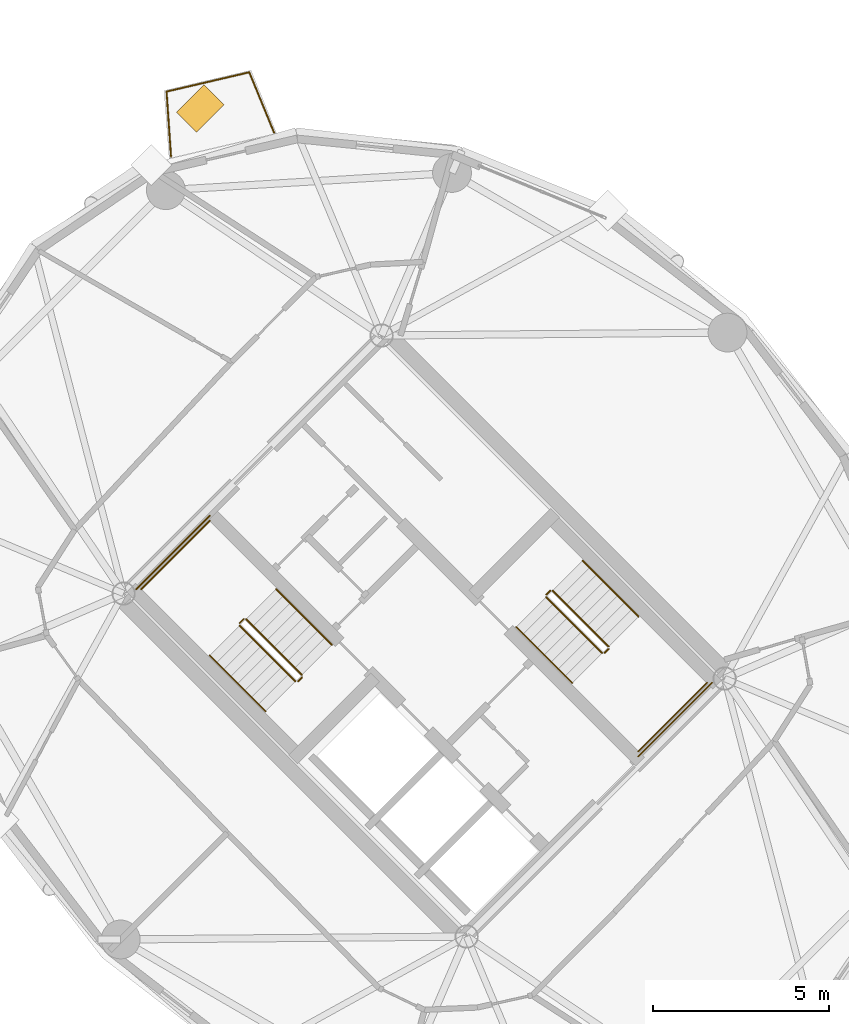
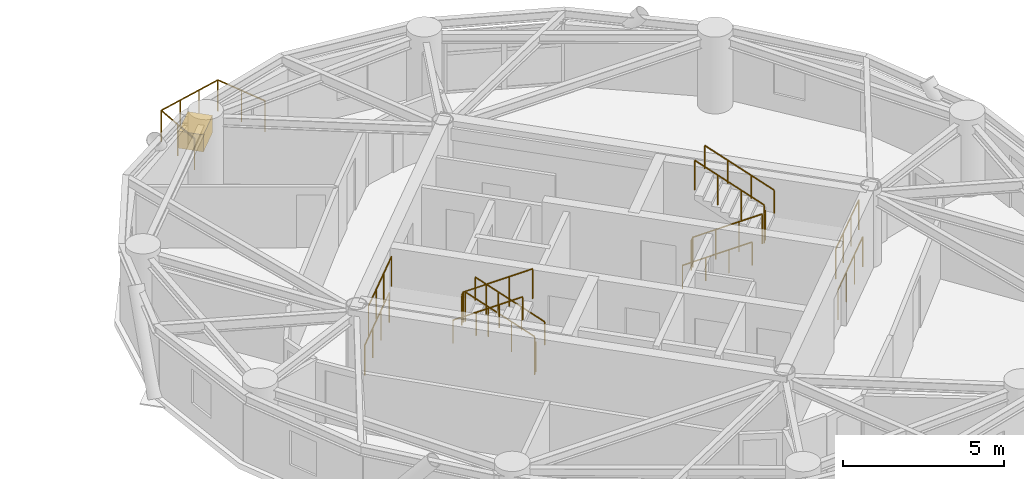
# One storey, part 15 of 16: 17 railings, 1 covering.
"""IFC4 building model written with IfcOpenShell, lengths in metres."""

from ifc_helpers import new_model, si_unit, direction, frame, origin, origin_2d, place, context, subcontext, project, spatial, rectangle, circle, extrude, source, transform, mapped, material, layer, layer_set, type_object, element, save


model = new_model("IFC4")

# Units and contexts
model_context = context("Model", 3, precision=1e-05, world=origin(), true_north=direction((0.0, 1.0)))
body_context = subcontext(model_context, "Body", "Model", "MODEL_VIEW")
ifc_project = project(units=[si_unit("LENGTHUNIT", "METRE"), si_unit("AREAUNIT", "SQUARE_METRE"), si_unit("VOLUMEUNIT", "CUBIC_METRE"), si_unit("PLANEANGLEUNIT", "RADIAN"), si_unit("MASSUNIT", "GRAM", prefix="KILO")], contexts=[model_context])

# Site, building, storey
site_placement = place(None, origin())
site = spatial("IfcSite", under=ifc_project, at=site_placement, CompositionType="ELEMENT")
building_placement = place(site_placement, origin())
building = spatial("IfcBuilding", under=site, at=building_placement, Name="Cununo Teusaquillo Station Towers", CompositionType="ELEMENT")
storey_placement = place(building_placement, frame((0.0, 0.0, 208.300048828125)))
storey = spatial("IfcBuildingStorey", under=building, at=storey_placement, Name="L66", CompositionType="ELEMENT", Elevation=208.300048828125)

# Railings
ifc_material_1 = material(Name="Anodised dark bronze aluminium EN AW-6063-T6", Category="aluminium")
railing_type_1 = type_object("IfcRailingType", Name="RL-EXT-BALUS", PredefinedType="BALUSTRADE", material=ifc_material_1)
railing_1_placement = place(storey_placement, frame((50.320556640625, 38.0986328125, 0.0)))
element("IfcRailing", 1, at=railing_1_placement, inside=storey, type_object=railing_type_1, Name="L66 Tower B Balcony Guardrail C03", PredefinedType="BALUSTRADE", context=body_context, shape_type="SweptSolid", body=[
    extrude(circle(Radius=0.02392578125, at=origin_2d()), frame((0.0, 0.0, 1.17578125), z_axis=(-0.068657089116, 0.997640318007, 0.0), x_axis=(-0.997640318007, -0.068657089116, 0.0)), (0.0, 0.0, 1.0), 1.84912109375),
    extrude(circle(Radius=0.02392578125, at=origin_2d()), frame((-0.126953125, 1.8447265625, 1.17578125), z_axis=(0.973841956979, 0.227226413139, 0.0), x_axis=(-0.227226413139, 0.973841956979, 0.0)), (0.0, 0.0, 1.0), 2.409912109375),
    extrude(circle(Radius=0.02392578125, at=origin_2d()), frame((2.219970703125, 2.392333984375, 1.17578125), z_axis=(0.379912800848, -0.925022304462, 0.0), x_axis=(0.925022304462, 0.379912800848, 0.0)), (0.0, 0.0, 1.0), 1.848876953125),
    extrude(circle(Radius=0.02099609375, at=origin_2d()), origin(), (0.0, 0.0, 1.0), 1.15185546875),
    extrude(circle(Radius=0.02099609375, at=origin_2d()), frame((-0.0634765625, 0.92236328125, 0.0)), (0.0, 0.0, 1.0), 1.15185546875),
    extrude(circle(Radius=0.02099609375, at=origin_2d()), frame((-0.126953125, 1.8447265625, 0.0)), (0.0, 0.0, 1.0), 1.15185546875),
    extrude(circle(Radius=0.02099609375, at=origin_2d()), frame((0.6552734375, 2.02734375, 0.0)), (0.0, 0.0, 1.0), 1.15185546875),
    extrude(circle(Radius=0.02099609375, at=origin_2d()), frame((1.437744140625, 2.209716796875, 0.0)), (0.0, 0.0, 1.0), 1.15185546875),
    extrude(circle(Radius=0.02099609375, at=origin_2d()), frame((2.219970703125, 2.392333984375, 0.0)), (0.0, 0.0, 1.0), 1.15185546875),
    extrude(circle(Radius=0.02099609375, at=origin_2d()), frame((2.5712890625, 1.537109375, 0.0)), (0.0, 0.0, 1.0), 1.15185546875),
    extrude(circle(Radius=0.02099609375, at=origin_2d()), frame((2.92236328125, 0.68212890625, 0.0)), (0.0, 0.0, 1.0), 1.15185546875),
])
ifc_material_2 = material(Name="Steel EN 10025-2 S355J2", Category="steel")
railing_type_2 = type_object("IfcRailingType", Name="RL-INT-GUARD", PredefinedType="GUARDRAIL", material=ifc_material_2)
railing_2_placement = place(storey_placement, frame((54.03515625, 23.39697265625, 0.16162109375)))
element("IfcRailing", 2, at=railing_2_placement, inside=storey, type_object=railing_type_2, Name="L66 ST-T2-1 stair guard 1", PredefinedType="GUARDRAIL", context=body_context, shape_type="SweptSolid", body=[
    extrude(circle(Radius=0.02392578125, at=origin_2d()), frame((0.0, 0.0, 1.1259765625), z_axis=(-0.612361259024, 0.612361259024, 0.500027376144), x_axis=(-0.707106781187, -0.707106781187, 0.0)), (0.0, 0.0, 1.0), 2.586181640625),
    extrude(circle(Radius=0.02099609375, at=origin_2d()), origin(), (0.0, 0.0, 1.0), 1.101806640625),
    extrude(circle(Radius=0.02099609375, at=origin_2d()), frame((-0.52783203125, 0.52783203125, 0.43115234375)), (0.0, 0.0, 1.0), 1.101806640625),
    extrude(circle(Radius=0.02099609375, at=origin_2d()), frame((-1.055908203125, 1.055908203125, 0.862060546875)), (0.0, 0.0, 1.0), 1.101806640625),
    extrude(circle(Radius=0.02099609375, at=origin_2d()), frame((-1.583740234375, 1.583740234375, 1.293212890625)), (0.0, 0.0, 1.0), 1.101806640625),
])
railing_3_placement = place(storey_placement, frame((52.380615234375, 24.980712890625, 1.454833984375)))
element("IfcRailing", 3, at=railing_3_placement, inside=storey, type_object=railing_type_2, Name="L66 ST-T2-1 stair guard 2", PredefinedType="GUARDRAIL", context=body_context, shape_type="SweptSolid", body=[
    extrude(circle(Radius=0.02392578125, at=origin_2d()), frame((0.0, 0.0, 1.1259765625), z_axis=(-0.7078691598, -0.706343579714, 0.0), x_axis=(0.706343579714, -0.7078691598, 0.0)), (0.0, 0.0, 1.0), 0.159912109375),
    extrude(circle(Radius=0.02099609375, at=origin_2d()), origin(), (0.0, 0.0, 1.0), 1.101806640625),
    extrude(circle(Radius=0.02099609375, at=origin_2d()), frame((-0.11328125, -0.113037109375, 0.0)), (0.0, 0.0, 1.0), 1.101806640625),
])
railing_4_placement = place(storey_placement, frame((51.426025390625, 27.77392578125, 1.454833984375)))
element("IfcRailing", 4, at=railing_4_placement, inside=storey, type_object=railing_type_2, Name="L66 ST-T2-1 stair guard 3", PredefinedType="GUARDRAIL", context=body_context, shape_type="SweptSolid", body=[
    extrude(circle(Radius=0.02392578125, at=origin_2d()), frame((0.0, 0.0, 1.1259765625), z_axis=(-0.707106781187, -0.707106781187, 0.0), x_axis=(0.707106781187, -0.707106781187, 0.0)), (0.0, 0.0, 1.0), 2.760009765625),
    extrude(circle(Radius=0.02099609375, at=origin_2d()), origin(), (0.0, 0.0, 1.0), 1.101806640625),
    extrude(circle(Radius=0.02099609375, at=origin_2d()), frame((-0.650634765625, -0.650634765625, 0.0)), (0.0, 0.0, 1.0), 1.101806640625),
    extrude(circle(Radius=0.02099609375, at=origin_2d()), frame((-1.301025390625, -1.301025390625, 0.0)), (0.0, 0.0, 1.0), 1.101806640625),
    extrude(circle(Radius=0.02099609375, at=origin_2d()), frame((-1.95166015625, -1.95166015625, 0.0)), (0.0, 0.0, 1.0), 1.101806640625),
])
railing_5_placement = place(storey_placement, frame((52.267333984375, 24.796875, 1.61669921875)))
element("IfcRailing", 5, at=railing_5_placement, inside=storey, type_object=railing_type_2, Name="L66 ST-T2-1 stair guard 4", PredefinedType="GUARDRAIL", context=body_context, shape_type="SweptSolid", body=[
    extrude(circle(Radius=0.02392578125, at=origin_2d()), frame((0.0, 0.0, 1.1259765625), z_axis=(0.612420254088, -0.612325861324, 0.499998471934), x_axis=(0.707052281454, 0.707161276719, 0.0)), (0.0, 0.0, 1.0), 2.58642578125),
    extrude(circle(Radius=0.02099609375, at=origin_2d()), origin(), (0.0, 0.0, 1.0), 1.101806640625),
    extrude(circle(Radius=0.02099609375, at=origin_2d()), frame((0.528076171875, -0.52783203125, 0.43115234375)), (0.0, 0.0, 1.0), 1.101806640625),
    extrude(circle(Radius=0.02099609375, at=origin_2d()), frame((1.055908203125, -1.055908203125, 0.862060546875)), (0.0, 0.0, 1.0), 1.101806640625),
    extrude(circle(Radius=0.02099609375, at=origin_2d()), frame((1.583984375, -1.583740234375, 1.293212890625)), (0.0, 0.0, 1.0), 1.101806640625),
])
railing_6_placement = place(storey_placement, frame((54.03515625, 23.326171875, 0.0)))
element("IfcRailing", 6, at=railing_6_placement, inside=storey, type_object=railing_type_2, Name="L66 ST-T2-1 stair guard 5", PredefinedType="GUARDRAIL", context=body_context, shape_type="SweptSolid", body=[
    extrude(circle(Radius=0.02392578125, at=origin_2d()), frame((0.0, 0.0, 1.1259765625), z_axis=(-0.707106781187, -0.707106781187, 0.0), x_axis=(0.707106781187, -0.707106781187, 0.0)), (0.0, 0.0, 1.0), 0.159912109375),
    extrude(circle(Radius=0.02099609375, at=origin_2d()), origin(), (0.0, 0.0, 1.0), 1.101806640625),
    extrude(circle(Radius=0.02099609375, at=origin_2d()), frame((-0.113037109375, -0.113037109375, 0.0)), (0.0, 0.0, 1.0), 1.101806640625),
])
railing_7_placement = place(storey_placement, frame((51.426025390625, 27.915283203125, 0.0)))
element("IfcRailing", 7, at=railing_7_placement, inside=storey, type_object=railing_type_2, Name="L66 ST-T2-1 stair guard 6", PredefinedType="GUARDRAIL", context=body_context, shape_type="SweptSolid", body=[
    extrude(circle(Radius=0.02392578125, at=origin_2d()), frame((0.0, 0.0, 1.1259765625), z_axis=(-0.707106781187, -0.707106781187, 0.0), x_axis=(0.707106781187, -0.707106781187, 0.0)), (0.0, 0.0, 1.0), 2.9599609375),
    extrude(circle(Radius=0.02099609375, at=origin_2d()), origin(), (0.0, 0.0, 1.0), 1.101806640625),
    extrude(circle(Radius=0.02099609375, at=origin_2d()), frame((-0.69775390625, -0.69775390625, 0.0)), (0.0, 0.0, 1.0), 1.101806640625),
    extrude(circle(Radius=0.02099609375, at=origin_2d()), frame((-1.395263671875, -1.395263671875, 0.0)), (0.0, 0.0, 1.0), 1.101806640625),
    extrude(circle(Radius=0.02099609375, at=origin_2d()), frame((-2.093017578125, -2.093017578125, 0.0)), (0.0, 0.0, 1.0), 1.101806640625),
])
railing_8_placement = place(storey_placement, frame((60.96484375, 25.60302734375, 0.16162109375)))
element("IfcRailing", 8, at=railing_8_placement, inside=storey, type_object=railing_type_2, Name="L66 ST-T2-2 stair guard 1", PredefinedType="GUARDRAIL", context=body_context, shape_type="SweptSolid", body=[
    extrude(circle(Radius=0.02392578125, at=origin_2d()), frame((0.0, 0.0, 1.1259765625), z_axis=(0.612361259024, -0.612361259024, 0.500027376144), x_axis=(0.707106781187, 0.707106781187, 0.0)), (0.0, 0.0, 1.0), 2.586181640625),
    extrude(circle(Radius=0.02099609375, at=origin_2d()), origin(), (0.0, 0.0, 1.0), 1.101806640625),
    extrude(circle(Radius=0.02099609375, at=origin_2d()), frame((0.52783203125, -0.52783203125, 0.43115234375)), (0.0, 0.0, 1.0), 1.101806640625),
    extrude(circle(Radius=0.02099609375, at=origin_2d()), frame((1.055908203125, -1.055908203125, 0.862060546875)), (0.0, 0.0, 1.0), 1.101806640625),
    extrude(circle(Radius=0.02099609375, at=origin_2d()), frame((1.583740234375, -1.583740234375, 1.293212890625)), (0.0, 0.0, 1.0), 1.101806640625),
])
railing_9_placement = place(storey_placement, frame((62.619384765625, 24.019287109375, 1.454833984375)))
element("IfcRailing", 9, at=railing_9_placement, inside=storey, type_object=railing_type_2, Name="L66 ST-T2-2 stair guard 2", PredefinedType="GUARDRAIL", context=body_context, shape_type="SweptSolid", body=[
    extrude(circle(Radius=0.02392578125, at=origin_2d()), frame((0.0, 0.0, 1.1259765625), z_axis=(0.7078691598, 0.706343579714, 0.0), x_axis=(-0.706343579714, 0.7078691598, 0.0)), (0.0, 0.0, 1.0), 0.159912109375),
    extrude(circle(Radius=0.02099609375, at=origin_2d()), origin(), (0.0, 0.0, 1.0), 1.101806640625),
    extrude(circle(Radius=0.02099609375, at=origin_2d()), frame((0.11328125, 0.113037109375, 0.0)), (0.0, 0.0, 1.0), 1.101806640625),
])
railing_10_placement = place(storey_placement, frame((63.573974609375, 21.22607421875, 1.454833984375)))
element("IfcRailing", 10, at=railing_10_placement, inside=storey, type_object=railing_type_2, Name="L66 ST-T2-2 stair guard 3", PredefinedType="GUARDRAIL", context=body_context, shape_type="SweptSolid", body=[
    extrude(circle(Radius=0.02392578125, at=origin_2d()), frame((0.0, 0.0, 1.1259765625), z_axis=(0.707106781187, 0.707106781187, 0.0), x_axis=(-0.707106781187, 0.707106781187, 0.0)), (0.0, 0.0, 1.0), 2.760009765625),
    extrude(circle(Radius=0.02099609375, at=origin_2d()), origin(), (0.0, 0.0, 1.0), 1.101806640625),
    extrude(circle(Radius=0.02099609375, at=origin_2d()), frame((0.650634765625, 0.650634765625, 0.0)), (0.0, 0.0, 1.0), 1.101806640625),
    extrude(circle(Radius=0.02099609375, at=origin_2d()), frame((1.301025390625, 1.301025390625, 0.0)), (0.0, 0.0, 1.0), 1.101806640625),
    extrude(circle(Radius=0.02099609375, at=origin_2d()), frame((1.95166015625, 1.95166015625, 0.0)), (0.0, 0.0, 1.0), 1.101806640625),
])
railing_11_placement = place(storey_placement, frame((62.732666015625, 24.203125, 1.61669921875)))
element("IfcRailing", 11, at=railing_11_placement, inside=storey, type_object=railing_type_2, Name="L66 ST-T2-2 stair guard 4", PredefinedType="GUARDRAIL", context=body_context, shape_type="SweptSolid", body=[
    extrude(circle(Radius=0.02392578125, at=origin_2d()), frame((0.0, 0.0, 1.1259765625), z_axis=(-0.612420254088, 0.612325861324, 0.499998471934), x_axis=(-0.707052281454, -0.707161276719, 0.0)), (0.0, 0.0, 1.0), 2.58642578125),
    extrude(circle(Radius=0.02099609375, at=origin_2d()), origin(), (0.0, 0.0, 1.0), 1.101806640625),
    extrude(circle(Radius=0.02099609375, at=origin_2d()), frame((-0.528076171875, 0.52783203125, 0.43115234375)), (0.0, 0.0, 1.0), 1.101806640625),
    extrude(circle(Radius=0.02099609375, at=origin_2d()), frame((-1.055908203125, 1.055908203125, 0.862060546875)), (0.0, 0.0, 1.0), 1.101806640625),
    extrude(circle(Radius=0.02099609375, at=origin_2d()), frame((-1.583984375, 1.583740234375, 1.293212890625)), (0.0, 0.0, 1.0), 1.101806640625),
])
railing_12_placement = place(storey_placement, frame((60.96484375, 25.673828125, 0.0)))
element("IfcRailing", 12, at=railing_12_placement, inside=storey, type_object=railing_type_2, Name="L66 ST-T2-2 stair guard 5", PredefinedType="GUARDRAIL", context=body_context, shape_type="SweptSolid", body=[
    extrude(circle(Radius=0.02392578125, at=origin_2d()), frame((0.0, 0.0, 1.1259765625), z_axis=(0.707106781187, 0.707106781187, 0.0), x_axis=(-0.707106781187, 0.707106781187, 0.0)), (0.0, 0.0, 1.0), 0.159912109375),
    extrude(circle(Radius=0.02099609375, at=origin_2d()), origin(), (0.0, 0.0, 1.0), 1.101806640625),
    extrude(circle(Radius=0.02099609375, at=origin_2d()), frame((0.113037109375, 0.113037109375, 0.0)), (0.0, 0.0, 1.0), 1.101806640625),
])
railing_13_placement = place(storey_placement, frame((63.573974609375, 21.084716796875, 0.0)))
element("IfcRailing", 13, at=railing_13_placement, inside=storey, type_object=railing_type_2, Name="L66 ST-T2-2 stair guard 6", PredefinedType="GUARDRAIL", context=body_context, shape_type="SweptSolid", body=[
    extrude(circle(Radius=0.02392578125, at=origin_2d()), frame((0.0, 0.0, 1.1259765625), z_axis=(0.707106781187, 0.707106781187, 0.0), x_axis=(-0.707106781187, 0.707106781187, 0.0)), (0.0, 0.0, 1.0), 2.9599609375),
    extrude(circle(Radius=0.02099609375, at=origin_2d()), origin(), (0.0, 0.0, 1.0), 1.101806640625),
    extrude(circle(Radius=0.02099609375, at=origin_2d()), frame((0.69775390625, 0.69775390625, 0.0)), (0.0, 0.0, 1.0), 1.101806640625),
    extrude(circle(Radius=0.02099609375, at=origin_2d()), frame((1.395263671875, 1.395263671875, 0.0)), (0.0, 0.0, 1.0), 1.101806640625),
    extrude(circle(Radius=0.02099609375, at=origin_2d()), frame((2.093017578125, 2.093017578125, 0.0)), (0.0, 0.0, 1.0), 1.101806640625),
])
ifc_material_3 = material(Name="Steel EN 10025-2 S355J2", Category="steel")
railing_type_3 = type_object("IfcRailingType", Name="RL-INT-HRAIL", PredefinedType="HANDRAIL", material=ifc_material_3)
railing_14_placement = place(storey_placement, frame((54.8837890625, 24.245361328125, 0.16162109375)))
element("IfcRailing", 14, at=railing_14_placement, inside=storey, type_object=railing_type_3, Name="L66 ST-T2-1 stair handrail 1", PredefinedType="HANDRAIL", context=body_context, shape_type="SweptSolid", body=[
    extrude(circle(Radius=0.02392578125, at=origin_2d()), frame((0.0, 0.0, 0.8759765625), z_axis=(-0.612384857071, 0.612384857071, 0.499969572735), x_axis=(-0.707106781187, -0.707106781187, 0.0)), (0.0, 0.0, 1.0), 2.586669921875),
    extrude(circle(Radius=0.02099609375, at=origin_2d()), origin(), (0.0, 0.0, 1.0), 0.851806640625),
    extrude(circle(Radius=0.02099609375, at=origin_2d()), frame((-0.528076171875, 0.528076171875, 0.43115234375)), (0.0, 0.0, 1.0), 0.851806640625),
    extrude(circle(Radius=0.02099609375, at=origin_2d()), frame((-1.055908203125, 1.055908203125, 0.862060546875)), (0.0, 0.0, 1.0), 0.851806640625),
    extrude(circle(Radius=0.02099609375, at=origin_2d()), frame((-1.583984375, 1.583984375, 1.293212890625)), (0.0, 0.0, 1.0), 0.851806640625),
])
for number, where, name in (
    (15, (51.4189453125, 23.948486328125, 1.61669921875), "L66 ST-T2-1 stair handrail 2"),
    (16, (60.1162109375, 24.754638671875, 0.16162109375), "L66 ST-T2-2 stair handrail 1"),
):
    element("IfcRailing", number, at=place(storey_placement, frame(where)), inside=storey, type_object=railing_type_3, Name=name, PredefinedType="HANDRAIL", context=body_context, shape_type="SweptSolid", body=[
        extrude(circle(Radius=0.02392578125, at=origin_2d()), frame((0.0, 0.0, 0.8759765625), z_axis=(0.612384857071, -0.612384857071, 0.499969572735), x_axis=(0.707106781187, 0.707106781187, 0.0)), (0.0, 0.0, 1.0), 2.586669921875),
        extrude(circle(Radius=0.02099609375, at=origin_2d()), origin(), (0.0, 0.0, 1.0), 0.851806640625),
        extrude(circle(Radius=0.02099609375, at=origin_2d()), frame((0.528076171875, -0.528076171875, 0.43115234375)), (0.0, 0.0, 1.0), 0.851806640625),
        extrude(circle(Radius=0.02099609375, at=origin_2d()), frame((1.055908203125, -1.055908203125, 0.862060546875)), (0.0, 0.0, 1.0), 0.851806640625),
        extrude(circle(Radius=0.02099609375, at=origin_2d()), frame((1.583984375, -1.583984375, 1.293212890625)), (0.0, 0.0, 1.0), 0.851806640625),
    ])
railing_15_placement = place(storey_placement, frame((63.5810546875, 25.051513671875, 1.61669921875)))
element("IfcRailing", 17, at=railing_15_placement, inside=storey, type_object=railing_type_3, Name="L66 ST-T2-2 stair handrail 2", PredefinedType="HANDRAIL", context=body_context, shape_type="SweptSolid", body=[
    extrude(circle(Radius=0.02392578125, at=origin_2d()), frame((0.0, 0.0, 0.8759765625), z_axis=(-0.612384857071, 0.612384857071, 0.499969572735), x_axis=(-0.707106781187, -0.707106781187, 0.0)), (0.0, 0.0, 1.0), 2.586669921875),
    extrude(circle(Radius=0.02099609375, at=origin_2d()), origin(), (0.0, 0.0, 1.0), 0.851806640625),
    extrude(circle(Radius=0.02099609375, at=origin_2d()), frame((-0.528076171875, 0.528076171875, 0.43115234375)), (0.0, 0.0, 1.0), 0.851806640625),
    extrude(circle(Radius=0.02099609375, at=origin_2d()), frame((-1.055908203125, 1.055908203125, 0.862060546875)), (0.0, 0.0, 1.0), 0.851806640625),
    extrude(circle(Radius=0.02099609375, at=origin_2d()), frame((-1.583984375, 1.583984375, 1.293212890625)), (0.0, 0.0, 1.0), 0.851806640625),
])

# Covering
ifc_material_4 = material(Name="Architectural GRC planter shell and engineered root-zone substrate", Category="concrete")
ifc_layer = layer(ifc_material_4, 0.64990234375)
ifc_layer_set = layer_set([ifc_layer], Name="Architectural GRC planter shell and engineered root-zone substrate")
covering_type = type_object("IfcCoveringType", Name="COV-TREE-PLANTER", PredefinedType="CLADDING", material=ifc_layer_set)
shared_shape = source(origin(), body_context, "Body", "SweptSolid", [
    extrude(rectangle(XDim=1.10009765625, YDim=0.800048828125, at=origin_2d()), origin(), (0.0, 0.0, 1.0), 0.64990234375),
])
covering_placement = place(storey_placement, frame((51.147705078125, 39.46240234375, 0.0), z_axis=(0.0, 0.0, 1.0), x_axis=(0.707106781187, 0.707106781187, 0.0)))
element("IfcCovering", 18, at=covering_placement, inside=storey, type_object=covering_type, Name="L66 Tower B Balcony Tree PLANTER C03", PredefinedType="CLADDING", context=body_context, shape_type="MappedRepresentation", body=[
    mapped(shared_shape, transform((0.0, 0.0, 0.0), x_axis=(1.0, 0.0, 0.0), y_axis=(0.0, 1.0, 0.0), z_axis=(0.0, 0.0, 1.0), scale=1.0)),
])

save(model, "model.ifc")
